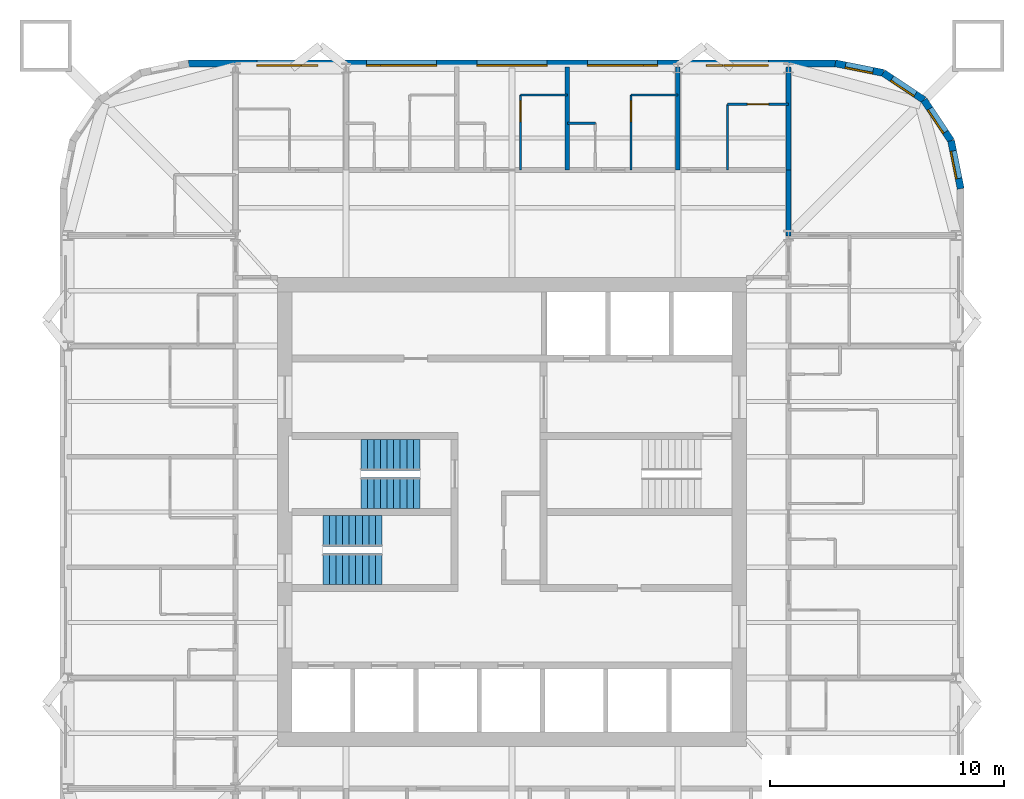
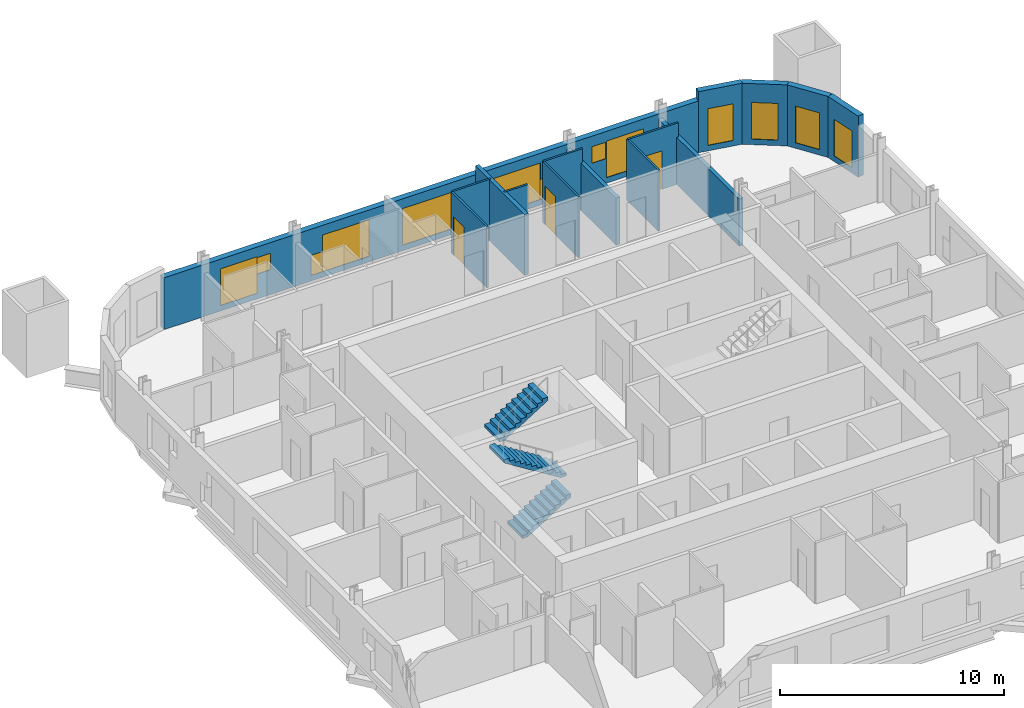
# One storey, part 8 of 10: 16 walls, 13 windows, 4 stair flights, 3 doors, 16 openings, 2 elements without a shape of their own.
"""IFC4 building model written with IfcOpenShell, lengths in metres."""

from ifc_helpers import new_model, si_unit, direction, frame, frame_2d, origin, place, context, subcontext, project, spatial, polyline, rectangle, outline, extrude, material, layer, layer_set, type_object, element, fill, aggregate, save


model = new_model("IFC4")

# Units and contexts
model_context = context("Model", 3, precision=1e-05, world=origin(), true_north=direction((0.0, 1.0)))
body_context = subcontext(model_context, "Body", "Model", "MODEL_VIEW")
ifc_project = project(units=[si_unit("LENGTHUNIT", "METRE"), si_unit("AREAUNIT", "SQUARE_METRE"), si_unit("VOLUMEUNIT", "CUBIC_METRE"), si_unit("PLANEANGLEUNIT", "RADIAN"), si_unit("MASSUNIT", "GRAM", prefix="KILO")], contexts=[model_context])

# Site, building, storey
site_placement = place(None, origin())
site = spatial("IfcSite", under=ifc_project, at=site_placement, CompositionType="ELEMENT")
building_placement = place(site_placement, origin())
building = spatial("IfcBuilding", under=site, at=building_placement, Name="Turquesa Mirador Hotel Tower", CompositionType="ELEMENT")
storey_placement = place(building_placement, frame((0.0, 0.0, 179.300048828125)))
storey = spatial("IfcBuildingStorey", under=building, at=storey_placement, Name="L48", CompositionType="ELEMENT", Elevation=179.300048828125)

# Wall
ifc_material_1 = material(Name="Gypsum board on steel studs", Category="steel")
ifc_layer_1 = layer(ifc_material_1, 0.10009765625)
ifc_layer_set_1 = layer_set([ifc_layer_1], Name="BATHROOM WALL 100")
wall_type_1 = type_object("IfcWallType", Name="BATHROOM WALL 100", PredefinedType="PARTITIONING", material=ifc_layer_set_1)
wall_1_placement = place(storey_placement, frame((57.360107421875, 61.60009765625, 0.0), z_axis=(0.0, 0.0, 1.0), x_axis=(1.0, 0.0, 0.0)))
element("IfcWall", 1, at=wall_1_placement, inside=storey, type_object=wall_type_1, Name="Partition L48 033", PredefinedType="PARTITIONING", context=body_context, shape_type="SweptSolid", body=[
    extrude(rectangle(XDim=1.199951171875, YDim=0.10009765625, at=frame_2d((0.60009765625, 0.0))), origin(), (0.0, 0.0, 1.0), 3.329833984375),
])

# Wall, opening, door
wall_2_placement = place(storey_placement, frame((64.199951171875, 62.39990234375, 0.0), z_axis=(0.0, 0.0, 1.0), x_axis=(1.0, 0.0, 0.0)))
wall_2 = element("IfcWall", 2, at=wall_2_placement, inside=storey, type_object=wall_type_1, Name="Partition L48 035", PredefinedType="PARTITIONING", context=body_context, shape_type="SweptSolid", body=[
    extrude(rectangle(XDim=2.60009765625, YDim=0.10009765625, at=frame_2d((1.300048828125, 0.0))), origin(), (0.0, 0.0, 1.0), 3.329833984375),
])
opening_1_placement = place(wall_2_placement, frame((0.85009765625, 0.0, 0.0)))
opening_1 = element("IfcOpeningElement", 3, at=opening_1_placement, cuts=wall_2, Name="Opening D02", PredefinedType="OPENING", context=body_context, shape_type="SweptSolid", body=[
    extrude(rectangle(XDim=0.89990234375, YDim=2.10009765625, at=frame_2d((0.449951171875, 1.050048828125))), frame((0.0, 0.06005859375, 0.0), z_axis=(0.0, -1.0, 0.0), x_axis=(1.0, 0.0, 0.0)), (0.0, 0.0, 1.0), 0.1201171875),
])
ifc_material_2 = material(Name="Timber veneered door", Category="wood")
door_type = type_object("IfcDoorType", Name="DOOR 900X2100 EN-SUITE", OperationType="SINGLE_SWING_RIGHT", PredefinedType="DOOR", material=ifc_material_2)
door_1_placement = place(opening_1_placement, origin())
door_1 = element("IfcDoor", 4, at=door_1_placement, inside=storey, type_object=door_type, Name="Door 4805B", OperationType="SINGLE_SWING_RIGHT", OverallHeight=2.10009765625, OverallWidth=0.89990234375, PredefinedType="DOOR", context=body_context, shape_type="SweptSolid", body=[
    extrude(rectangle(XDim=0.89990234375, YDim=2.10009765625, at=frame_2d((0.449951171875, 1.050048828125))), frame((0.0, 0.02490234375, 0.0), z_axis=(0.0, -1.0, 0.0), x_axis=(1.0, 0.0, 0.0)), (0.0, 0.0, 1.0), 0.050048828125),
])
fill(opening_1, door_1)

# Walls
for number, where, z_axis, x_axis, name in (
    (5, (55.360107421875, 62.800048828125, 0.0), (0.0, 0.0, 1.0), (1.0, 0.0, 0.0), "Partition L48 037"),
    (6, (60.080078125, 62.800048828125, 0.0), (0.0, 0.0, 1.0), (1.0, 0.0, 0.0), "Partition L48 038"),
):
    element("IfcWall", number, at=place(storey_placement, frame(where, z_axis=z_axis, x_axis=x_axis)), inside=storey, type_object=wall_type_1, Name=name, PredefinedType="PARTITIONING", context=body_context, shape_type="SweptSolid", body=[
        extrude(rectangle(XDim=2.0, YDim=0.10009765625, at=frame_2d((1.0, 0.0))), origin(), (0.0, 0.0, 1.0), 3.329833984375),
    ])

# Wall, opening, door
wall_3_placement = place(storey_placement, frame((55.360107421875, 59.60009765625, 0.0), z_axis=(0.0, 0.0, 1.0), x_axis=(0.0, 1.0, 0.0)))
wall_3 = element("IfcWall", 7, at=wall_3_placement, inside=storey, type_object=wall_type_1, Name="Partition L48 070", PredefinedType="PARTITIONING", context=body_context, shape_type="SweptSolid", body=[
    extrude(rectangle(XDim=3.199951171875, YDim=0.10009765625, at=frame_2d((1.60009765625, 0.0))), origin(), (0.0, 0.0, 1.0), 3.329833984375),
])
opening_2_placement = place(wall_3_placement, frame((2.050048828125, 0.0, 0.0)))
opening_2 = element("IfcOpeningElement", 8, at=opening_2_placement, cuts=wall_3, Name="Opening D02", PredefinedType="OPENING", context=body_context, shape_type="SweptSolid", body=[
    extrude(rectangle(XDim=0.89990234375, YDim=2.10009765625, at=frame_2d((0.449951171875, 1.050048828125))), frame((0.0, 0.06005859375, 0.0), z_axis=(0.0, -1.0, 0.0), x_axis=(1.0, 0.0, 0.0)), (0.0, 0.0, 1.0), 0.1201171875),
])
door_2_placement = place(opening_2_placement, origin())
door_2 = element("IfcDoor", 9, at=door_2_placement, inside=storey, type_object=door_type, Name="Door 4803B", OperationType="SINGLE_SWING_RIGHT", OverallHeight=2.10009765625, OverallWidth=0.89990234375, PredefinedType="DOOR", context=body_context, shape_type="SweptSolid", body=[
    extrude(rectangle(XDim=0.89990234375, YDim=2.10009765625, at=frame_2d((0.449951171875, 1.050048828125))), frame((0.0, 0.02490234375, 0.0), z_axis=(0.0, -1.0, 0.0), x_axis=(1.0, 0.0, 0.0)), (0.0, 0.0, 1.0), 0.050048828125),
])
fill(opening_2, door_2)

wall_4_placement = place(storey_placement, frame((60.080078125, 59.60009765625, 0.0), z_axis=(0.0, 0.0, 1.0), x_axis=(0.0, 1.0, 0.0)))
wall_4 = element("IfcWall", 10, at=wall_4_placement, inside=storey, type_object=wall_type_1, Name="Partition L48 089", PredefinedType="PARTITIONING", context=body_context, shape_type="SweptSolid", body=[
    extrude(rectangle(XDim=3.199951171875, YDim=0.10009765625, at=frame_2d((1.60009765625, 0.0))), origin(), (0.0, 0.0, 1.0), 3.329833984375),
])
opening_3_placement = place(wall_4_placement, frame((2.050048828125, 0.0, 0.0)))
opening_3 = element("IfcOpeningElement", 11, at=opening_3_placement, cuts=wall_4, Name="Opening D02", PredefinedType="OPENING", context=body_context, shape_type="SweptSolid", body=[
    extrude(rectangle(XDim=0.89990234375, YDim=2.10009765625, at=frame_2d((0.449951171875, 1.050048828125))), frame((0.0, 0.06005859375, 0.0), z_axis=(0.0, -1.0, 0.0), x_axis=(1.0, 0.0, 0.0)), (0.0, 0.0, 1.0), 0.1201171875),
])
door_3_placement = place(opening_3_placement, origin())
door_3 = element("IfcDoor", 12, at=door_3_placement, inside=storey, type_object=door_type, Name="Door 4804B", OperationType="SINGLE_SWING_RIGHT", OverallHeight=2.10009765625, OverallWidth=0.89990234375, PredefinedType="DOOR", context=body_context, shape_type="SweptSolid", body=[
    extrude(rectangle(XDim=0.89990234375, YDim=2.10009765625, at=frame_2d((0.449951171875, 1.050048828125))), frame((0.0, 0.02490234375, 0.0), z_axis=(0.0, -1.0, 0.0), x_axis=(1.0, 0.0, 0.0)), (0.0, 0.0, 1.0), 0.050048828125),
])
fill(opening_3, door_3)

# Walls
wall_5_placement = place(storey_placement, frame((64.199951171875, 59.60009765625, 0.0), z_axis=(0.0, 0.0, 1.0), x_axis=(0.0, 1.0, 0.0)))
element("IfcWall", 13, at=wall_5_placement, inside=storey, type_object=wall_type_1, Name="Partition L48 091", PredefinedType="PARTITIONING", context=body_context, shape_type="SweptSolid", body=[
    extrude(rectangle(XDim=2.7998046875, YDim=0.10009765625, at=frame_2d((1.39990234375, 0.0))), origin(), (0.0, 0.0, 1.0), 3.329833984375),
])
ifc_material_3 = material(Name="Fire-rated gypsum board on steel studs", Category="steel")
ifc_layer_2 = layer(ifc_material_3, 0.199951171875)
ifc_layer_set_2 = layer_set([ifc_layer_2], Name="CORRIDOR WALL 200")
wall_type_2 = type_object("IfcWallType", Name="CORRIDOR WALL 200", PredefinedType="PARTITIONING", material=ifc_layer_set_2)
wall_6_placement = place(storey_placement, frame((66.800048828125, 56.780029296875, 0.0), z_axis=(0.0, 0.0, 1.0), x_axis=(0.0, 1.0, 0.0)))
element("IfcWall", 14, at=wall_6_placement, inside=storey, type_object=wall_type_2, Name="Partition L48 093", PredefinedType="PARTITIONING", context=body_context, shape_type="SweptSolid", body=[
    extrude(rectangle(XDim=2.820068359375, YDim=0.199951171875, at=frame_2d((1.41015625, 0.0))), origin(), (0.0, 0.0, 1.0), 2.572998046875),
])

# Wall, opening, window
ifc_material_4 = material(Name="Limestone cladding on concrete block", Category="masonry")
ifc_layer_3 = layer(ifc_material_4, 0.300048828125)
ifc_layer_set_3 = layer_set([ifc_layer_3], Name="FACADE WALL 300 STONE SCREEN")
wall_type_3 = type_object("IfcWallType", Name="FACADE WALL 300 STONE SCREEN", PredefinedType="SOLIDWALL", material=ifc_layer_set_3)
wall_7_placement = place(storey_placement, frame((74.14990234375, 58.800048828125, 0.0), z_axis=(0.0, 0.0, 1.0), x_axis=(-0.195081421501, 0.980787050784, 0.0)))
wall_7 = element("IfcWall", 15, at=wall_7_placement, inside=storey, type_object=wall_type_3, Name="Facade wall L48 05", PredefinedType="SOLIDWALL", context=body_context, shape_type="SweptSolid", body=[
    extrude(rectangle(XDim=2.08740234375, YDim=0.300048828125, at=frame_2d((1.043701171875, 0.0))), origin(), (0.0, 0.0, 1.0), 3.329833984375),
])
opening_4_placement = place(wall_7_placement, frame((0.443603515625, 0.0, 0.300048828125)))
opening_4 = element("IfcOpeningElement", 16, at=opening_4_placement, cuts=wall_7, Name="Opening WN4", PredefinedType="OPENING", context=body_context, shape_type="SweptSolid", body=[
    extrude(rectangle(XDim=1.199951171875, YDim=2.0, at=frame_2d((0.60009765625, 1.0))), frame((0.0, 0.159912109375, 0.0), z_axis=(0.0, -1.0, 0.0), x_axis=(1.0, 0.0, 0.0)), (0.0, 0.0, 1.0), 0.320068359375),
])
ifc_material_5 = material(Name="Ceramic-fritted laminated glass", Category="glass")
window_type_1 = type_object("IfcWindowType", Name="FRITTED CORNER WINDOW 1200X2000", PartitioningType="DOUBLE_PANEL_HORIZONTAL", PredefinedType="WINDOW", material=ifc_material_5)
window_1_placement = place(opening_4_placement, origin())
window_1 = element("IfcWindow", 17, at=window_1_placement, inside=storey, type_object=window_type_1, Name="Window L48", OverallHeight=2.0, OverallWidth=1.199951171875, PartitioningType="SINGLE_PANEL", PredefinedType="WINDOW", context=body_context, shape_type="SweptSolid", body=[
    extrude(rectangle(XDim=1.199951171875, YDim=2.0, at=frame_2d((0.60009765625, 1.0))), frame((0.0, 0.130126953125, 0.0), z_axis=(0.0, -1.0, 0.0), x_axis=(1.0, 0.0, 0.0)), (0.0, 0.0, 1.0), 0.06005859375),
])
fill(opening_4, window_1)

wall_8_placement = place(storey_placement, frame((73.74267578125, 60.847412109375, 0.0), z_axis=(0.0, 0.0, 1.0), x_axis=(-0.555563607591, 0.831474039234, 0.0)))
wall_8 = element("IfcWall", 18, at=wall_8_placement, inside=storey, type_object=wall_type_3, Name="Facade wall L48 06", PredefinedType="SOLIDWALL", context=body_context, shape_type="SweptSolid", body=[
    extrude(rectangle(XDim=2.08740234375, YDim=0.300048828125, at=frame_2d((1.043701171875, 0.0))), origin(), (0.0, 0.0, 1.0), 3.329833984375),
])
opening_5_placement = place(wall_8_placement, frame((0.443603515625, 0.0, 0.300048828125)))
opening_5 = element("IfcOpeningElement", 19, at=opening_5_placement, cuts=wall_8, Name="Opening WN4", PredefinedType="OPENING", context=body_context, shape_type="SweptSolid", body=[
    extrude(rectangle(XDim=1.199951171875, YDim=2.0, at=frame_2d((0.60009765625, 1.0))), frame((0.0, 0.159912109375, 0.0), z_axis=(0.0, -1.0, 0.0), x_axis=(1.0, 0.0, 0.0)), (0.0, 0.0, 1.0), 0.320068359375),
])
window_2_placement = place(opening_5_placement, origin())
window_2 = element("IfcWindow", 20, at=window_2_placement, inside=storey, type_object=window_type_1, Name="Window L48", OverallHeight=2.0, OverallWidth=1.199951171875, PartitioningType="SINGLE_PANEL", PredefinedType="WINDOW", context=body_context, shape_type="SweptSolid", body=[
    extrude(rectangle(XDim=1.199951171875, YDim=2.0, at=frame_2d((0.60009765625, 1.0))), frame((0.0, 0.130126953125, 0.0), z_axis=(0.0, -1.0, 0.0), x_axis=(1.0, 0.0, 0.0)), (0.0, 0.0, 1.0), 0.06005859375),
])
fill(opening_5, window_2)

wall_9_placement = place(storey_placement, frame((72.5830078125, 62.5830078125, 0.0), z_axis=(0.0, 0.0, 1.0), x_axis=(-0.831474039234, 0.555563607591, 0.0)))
wall_9 = element("IfcWall", 21, at=wall_9_placement, inside=storey, type_object=wall_type_3, Name="Facade wall L48 07", PredefinedType="SOLIDWALL", context=body_context, shape_type="SweptSolid", body=[
    extrude(rectangle(XDim=2.08740234375, YDim=0.300048828125, at=frame_2d((1.043701171875, 0.0))), origin(), (0.0, 0.0, 1.0), 3.329833984375),
])
opening_6_placement = place(wall_9_placement, frame((0.443603515625, 0.0, 0.300048828125)))
opening_6 = element("IfcOpeningElement", 22, at=opening_6_placement, cuts=wall_9, Name="Opening WN4", PredefinedType="OPENING", context=body_context, shape_type="SweptSolid", body=[
    extrude(rectangle(XDim=1.199951171875, YDim=2.0, at=frame_2d((0.60009765625, 1.0))), frame((0.0, 0.159912109375, 0.0), z_axis=(0.0, -1.0, 0.0), x_axis=(1.0, 0.0, 0.0)), (0.0, 0.0, 1.0), 0.320068359375),
])
window_3_placement = place(opening_6_placement, origin())
window_3 = element("IfcWindow", 23, at=window_3_placement, inside=storey, type_object=window_type_1, Name="Window L48", OverallHeight=2.0, OverallWidth=1.199951171875, PartitioningType="SINGLE_PANEL", PredefinedType="WINDOW", context=body_context, shape_type="SweptSolid", body=[
    extrude(rectangle(XDim=1.199951171875, YDim=2.0, at=frame_2d((0.60009765625, 1.0))), frame((0.0, 0.130126953125, 0.0), z_axis=(0.0, -1.0, 0.0), x_axis=(1.0, 0.0, 0.0)), (0.0, 0.0, 1.0), 0.06005859375),
])
fill(opening_6, window_3)

wall_10_placement = place(storey_placement, frame((70.847412109375, 63.74267578125, 0.0), z_axis=(0.0, 0.0, 1.0), x_axis=(-0.980787050784, 0.195081421501, 0.0)))
wall_10 = element("IfcWall", 24, at=wall_10_placement, inside=storey, type_object=wall_type_3, Name="Facade wall L48 08", PredefinedType="SOLIDWALL", context=body_context, shape_type="SweptSolid", body=[
    extrude(rectangle(XDim=2.08740234375, YDim=0.300048828125, at=frame_2d((1.043701171875, 0.0))), origin(), (0.0, 0.0, 1.0), 3.329833984375),
])
opening_7_placement = place(wall_10_placement, frame((0.443603515625, 0.0, 0.300048828125)))
opening_7 = element("IfcOpeningElement", 25, at=opening_7_placement, cuts=wall_10, Name="Opening WN4", PredefinedType="OPENING", context=body_context, shape_type="SweptSolid", body=[
    extrude(rectangle(XDim=1.199951171875, YDim=2.0, at=frame_2d((0.60009765625, 1.0))), frame((0.0, 0.159912109375, 0.0), z_axis=(0.0, -1.0, 0.0), x_axis=(1.0, 0.0, 0.0)), (0.0, 0.0, 1.0), 0.320068359375),
])
window_4_placement = place(opening_7_placement, origin())
window_4 = element("IfcWindow", 26, at=window_4_placement, inside=storey, type_object=window_type_1, Name="Window L48", OverallHeight=2.0, OverallWidth=1.199951171875, PartitioningType="SINGLE_PANEL", PredefinedType="WINDOW", context=body_context, shape_type="SweptSolid", body=[
    extrude(rectangle(XDim=1.199951171875, YDim=2.0, at=frame_2d((0.60009765625, 1.0))), frame((0.0, 0.130126953125, 0.0), z_axis=(0.0, -1.0, 0.0), x_axis=(1.0, 0.0, 0.0)), (0.0, 0.0, 1.0), 0.06005859375),
])
fill(opening_7, window_4)

# Wall, openings, windows
wall_11_placement = place(storey_placement, frame((68.800048828125, 64.14990234375, 0.0), z_axis=(0.0, 0.0, 1.0), x_axis=(-1.0, 0.0, 0.0)))
wall_11 = element("IfcWall", 27, at=wall_11_placement, inside=storey, type_object=wall_type_3, Name="Facade wall L48 09", PredefinedType="SOLIDWALL", context=body_context, shape_type="SweptSolid", body=[
    extrude(rectangle(XDim=27.60009765625, YDim=0.300048828125, at=frame_2d((13.800048828125, 0.0))), origin(), (0.0, 0.0, 1.0), 2.829833984375),
])
opening_8_placement = place(wall_11_placement, frame((2.860107421875, 0.0, 0.300048828125)))
opening_8 = element("IfcOpeningElement", 28, at=opening_8_placement, cuts=wall_11, Name="Opening WN49", PredefinedType="OPENING", context=body_context, shape_type="SweptSolid", body=[
    extrude(rectangle(XDim=1.89990234375, YDim=2.0, at=frame_2d((0.949951171875, 1.0))), frame((0.0, 0.159912109375, 0.0), z_axis=(0.0, -1.0, 0.0), x_axis=(1.0, 0.0, 0.0)), (0.0, 0.0, 1.0), 0.320068359375),
])
opening_9_placement = place(wall_11_placement, frame((8.179931640625, 0.0, 0.300048828125)))
opening_9 = element("IfcOpeningElement", 29, at=opening_9_placement, cuts=wall_11, Name="Opening WN2", PredefinedType="OPENING", context=body_context, shape_type="SweptSolid", body=[
    extrude(rectangle(XDim=2.39990234375, YDim=2.0, at=frame_2d((1.199951171875, 1.0))), frame((0.0, 0.159912109375, 0.0), z_axis=(0.0, -1.0, 0.0), x_axis=(1.0, 0.0, 0.0)), (0.0, 0.0, 1.0), 0.320068359375),
])
opening_10_placement = place(wall_11_placement, frame((12.300048828125, 0.0, 0.300048828125)))
opening_10 = element("IfcOpeningElement", 30, at=opening_10_placement, cuts=wall_11, Name="Opening WN1", PredefinedType="OPENING", context=body_context, shape_type="SweptSolid", body=[
    extrude(rectangle(XDim=3.0, YDim=2.0, at=frame_2d((1.5, 1.0))), frame((0.0, 0.159912109375, 0.0), z_axis=(0.0, -1.0, 0.0), x_axis=(1.0, 0.0, 0.0)), (0.0, 0.0, 1.0), 0.320068359375),
])
opening_11_placement = place(wall_11_placement, frame((17.02001953125, 0.0, 0.300048828125)))
opening_11 = element("IfcOpeningElement", 31, at=opening_11_placement, cuts=wall_11, Name="Opening WN2", PredefinedType="OPENING", context=body_context, shape_type="SweptSolid", body=[
    extrude(rectangle(XDim=2.39990234375, YDim=2.0, at=frame_2d((1.199951171875, 1.0))), frame((0.0, 0.159912109375, 0.0), z_axis=(0.0, -1.0, 0.0), x_axis=(1.0, 0.0, 0.0)), (0.0, 0.0, 1.0), 0.320068359375),
])
opening_12_placement = place(wall_11_placement, frame((22.7900390625, 0.0, 0.300048828125)))
opening_12 = element("IfcOpeningElement", 32, at=opening_12_placement, cuts=wall_11, Name="Opening WN49", PredefinedType="OPENING", context=body_context, shape_type="SweptSolid", body=[
    extrude(rectangle(XDim=1.89990234375, YDim=2.0, at=frame_2d((0.949951171875, 1.0))), frame((0.0, 0.159912109375, 0.0), z_axis=(0.0, -1.0, 0.0), x_axis=(1.0, 0.0, 0.0)), (0.0, 0.0, 1.0), 0.320068359375),
])
opening_13_placement = place(wall_11_placement, frame((4.81005859375, 0.0, 1.35009765625)))
opening_13 = element("IfcOpeningElement", 33, at=opening_13_placement, cuts=wall_11, Name="Opening WN31", PredefinedType="OPENING", context=body_context, shape_type="SweptSolid", body=[
    extrude(rectangle(XDim=0.699951171875, YDim=0.89990234375, at=frame_2d((0.35009765625, 0.449951171875))), frame((0.0, 0.159912109375, 0.0), z_axis=(0.0, -1.0, 0.0), x_axis=(1.0, 0.0, 0.0)), (0.0, 0.0, 1.0), 0.320068359375),
])
opening_14_placement = place(wall_11_placement, frame((7.580078125, 0.0, 0.300048828125)))
opening_14 = element("IfcOpeningElement", 34, at=opening_14_placement, cuts=wall_11, Name="Opening WN30", PredefinedType="OPENING", context=body_context, shape_type="SweptSolid", body=[
    extrude(rectangle(XDim=0.60009765625, YDim=1.10009765625, at=frame_2d((0.300048828125, 0.550048828125))), frame((0.0, 0.159912109375, 0.0), z_axis=(0.0, -1.0, 0.0), x_axis=(1.0, 0.0, 0.0)), (0.0, 0.0, 1.0), 0.320068359375),
])
opening_15_placement = place(wall_11_placement, frame((19.419921875, 0.0, 0.300048828125)))
opening_15 = element("IfcOpeningElement", 35, at=opening_15_placement, cuts=wall_11, Name="Opening WN30", PredefinedType="OPENING", context=body_context, shape_type="SweptSolid", body=[
    extrude(rectangle(XDim=0.60009765625, YDim=1.10009765625, at=frame_2d((0.300048828125, 0.550048828125))), frame((0.0, 0.159912109375, 0.0), z_axis=(0.0, -1.0, 0.0), x_axis=(1.0, 0.0, 0.0)), (0.0, 0.0, 1.0), 0.320068359375),
])
opening_16_placement = place(wall_11_placement, frame((22.090087890625, 0.0, 1.35009765625)))
opening_16 = element("IfcOpeningElement", 36, at=opening_16_placement, cuts=wall_11, Name="Opening WN31", PredefinedType="OPENING", context=body_context, shape_type="SweptSolid", body=[
    extrude(rectangle(XDim=0.699951171875, YDim=0.89990234375, at=frame_2d((0.35009765625, 0.449951171875))), frame((0.0, 0.159912109375, 0.0), z_axis=(0.0, -1.0, 0.0), x_axis=(1.0, 0.0, 0.0)), (0.0, 0.0, 1.0), 0.320068359375),
])
ifc_material_6 = material(Name="Ceramic-fritted laminated glass", Category="glass")
window_type_2 = type_object("IfcWindowType", Name="FRITTED WINDOW 1900X2000", PartitioningType="DOUBLE_PANEL_HORIZONTAL", PredefinedType="WINDOW", material=ifc_material_6)
window_5_placement = place(opening_8_placement, origin())
window_5 = element("IfcWindow", 37, at=window_5_placement, inside=storey, type_object=window_type_2, Name="Window L48", OverallHeight=2.0, OverallWidth=1.89990234375, PartitioningType="SINGLE_PANEL", PredefinedType="WINDOW", context=body_context, shape_type="SweptSolid", body=[
    extrude(rectangle(XDim=1.89990234375, YDim=2.0, at=frame_2d((0.949951171875, 1.0))), frame((0.0, 0.130126953125, 0.0), z_axis=(0.0, -1.0, 0.0), x_axis=(1.0, 0.0, 0.0)), (0.0, 0.0, 1.0), 0.06005859375),
])
fill(opening_8, window_5)
window_6_placement = place(opening_12_placement, origin())
window_6 = element("IfcWindow", 38, at=window_6_placement, inside=storey, type_object=window_type_2, Name="Window L48", OverallHeight=2.0, OverallWidth=1.89990234375, PartitioningType="SINGLE_PANEL", PredefinedType="WINDOW", context=body_context, shape_type="SweptSolid", body=[
    extrude(rectangle(XDim=1.89990234375, YDim=2.0, at=frame_2d((0.949951171875, 1.0))), frame((0.0, 0.130126953125, 0.0), z_axis=(0.0, -1.0, 0.0), x_axis=(1.0, 0.0, 0.0)), (0.0, 0.0, 1.0), 0.06005859375),
])
fill(opening_12, window_6)
ifc_material_7 = material(Name="Ceramic-fritted laminated glass", Category="glass")
window_type_3 = type_object("IfcWindowType", Name="FRITTED WINDOW 2400X2000", PartitioningType="DOUBLE_PANEL_HORIZONTAL", PredefinedType="WINDOW", material=ifc_material_7)
window_7_placement = place(opening_9_placement, origin())
window_7 = element("IfcWindow", 39, at=window_7_placement, inside=storey, type_object=window_type_3, Name="Window L48", OverallHeight=2.0, OverallWidth=2.39990234375, PartitioningType="SINGLE_PANEL", PredefinedType="WINDOW", context=body_context, shape_type="SweptSolid", body=[
    extrude(rectangle(XDim=2.39990234375, YDim=2.0, at=frame_2d((1.199951171875, 1.0))), frame((0.0, 0.130126953125, 0.0), z_axis=(0.0, -1.0, 0.0), x_axis=(1.0, 0.0, 0.0)), (0.0, 0.0, 1.0), 0.06005859375),
])
fill(opening_9, window_7)
window_8_placement = place(opening_11_placement, origin())
window_8 = element("IfcWindow", 40, at=window_8_placement, inside=storey, type_object=window_type_3, Name="Window L48", OverallHeight=2.0, OverallWidth=2.39990234375, PartitioningType="SINGLE_PANEL", PredefinedType="WINDOW", context=body_context, shape_type="SweptSolid", body=[
    extrude(rectangle(XDim=2.39990234375, YDim=2.0, at=frame_2d((1.199951171875, 1.0))), frame((0.0, 0.130126953125, 0.0), z_axis=(0.0, -1.0, 0.0), x_axis=(1.0, 0.0, 0.0)), (0.0, 0.0, 1.0), 0.06005859375),
])
fill(opening_11, window_8)
ifc_material_8 = material(Name="Ceramic-fritted laminated glass", Category="glass")
window_type_4 = type_object("IfcWindowType", Name="FRITTED WINDOW 3000X2000", PartitioningType="DOUBLE_PANEL_HORIZONTAL", PredefinedType="WINDOW", material=ifc_material_8)
window_9_placement = place(opening_10_placement, origin())
window_9 = element("IfcWindow", 41, at=window_9_placement, inside=storey, type_object=window_type_4, Name="Window L48", OverallHeight=2.0, OverallWidth=3.0, PartitioningType="SINGLE_PANEL", PredefinedType="WINDOW", context=body_context, shape_type="SweptSolid", body=[
    extrude(rectangle(XDim=3.0, YDim=2.0, at=frame_2d((1.5, 1.0))), frame((0.0, 0.130126953125, 0.0), z_axis=(0.0, -1.0, 0.0), x_axis=(1.0, 0.0, 0.0)), (0.0, 0.0, 1.0), 0.06005859375),
])
fill(opening_10, window_9)
ifc_material_9 = material(Name="Ceramic-fritted laminated glass", Category="glass")
window_type_5 = type_object("IfcWindowType", Name="FRITTED WINDOW 600X1100", PartitioningType="DOUBLE_PANEL_HORIZONTAL", PredefinedType="WINDOW", material=ifc_material_9)
window_10_placement = place(opening_14_placement, origin())
window_10 = element("IfcWindow", 42, at=window_10_placement, inside=storey, type_object=window_type_5, Name="Window L48", OverallHeight=1.10009765625, OverallWidth=0.60009765625, PartitioningType="SINGLE_PANEL", PredefinedType="WINDOW", context=body_context, shape_type="SweptSolid", body=[
    extrude(rectangle(XDim=0.60009765625, YDim=1.10009765625, at=frame_2d((0.300048828125, 0.550048828125))), frame((0.0, 0.130126953125, 0.0), z_axis=(0.0, -1.0, 0.0), x_axis=(1.0, 0.0, 0.0)), (0.0, 0.0, 1.0), 0.06005859375),
])
fill(opening_14, window_10)
window_11_placement = place(opening_15_placement, origin())
window_11 = element("IfcWindow", 43, at=window_11_placement, inside=storey, type_object=window_type_5, Name="Window L48", OverallHeight=1.10009765625, OverallWidth=0.60009765625, PartitioningType="SINGLE_PANEL", PredefinedType="WINDOW", context=body_context, shape_type="SweptSolid", body=[
    extrude(rectangle(XDim=0.60009765625, YDim=1.10009765625, at=frame_2d((0.300048828125, 0.550048828125))), frame((0.0, 0.130126953125, 0.0), z_axis=(0.0, -1.0, 0.0), x_axis=(1.0, 0.0, 0.0)), (0.0, 0.0, 1.0), 0.06005859375),
])
fill(opening_15, window_11)
ifc_material_10 = material(Name="Ceramic-fritted laminated glass", Category="glass")
window_type_6 = type_object("IfcWindowType", Name="FRITTED WINDOW 700X900", PartitioningType="DOUBLE_PANEL_HORIZONTAL", PredefinedType="WINDOW", material=ifc_material_10)
window_12_placement = place(opening_13_placement, origin())
window_12 = element("IfcWindow", 44, at=window_12_placement, inside=storey, type_object=window_type_6, Name="Window L48", OverallHeight=0.89990234375, OverallWidth=0.699951171875, PartitioningType="SINGLE_PANEL", PredefinedType="WINDOW", context=body_context, shape_type="SweptSolid", body=[
    extrude(rectangle(XDim=0.699951171875, YDim=0.89990234375, at=frame_2d((0.35009765625, 0.449951171875))), frame((0.0, 0.130126953125, 0.0), z_axis=(0.0, -1.0, 0.0), x_axis=(1.0, 0.0, 0.0)), (0.0, 0.0, 1.0), 0.06005859375),
])
fill(opening_13, window_12)
window_13_placement = place(opening_16_placement, origin())
window_13 = element("IfcWindow", 45, at=window_13_placement, inside=storey, type_object=window_type_6, Name="Window L48", OverallHeight=0.89990234375, OverallWidth=0.699951171875, PartitioningType="SINGLE_PANEL", PredefinedType="WINDOW", context=body_context, shape_type="SweptSolid", body=[
    extrude(rectangle(XDim=0.699951171875, YDim=0.89990234375, at=frame_2d((0.35009765625, 0.449951171875))), frame((0.0, 0.130126953125, 0.0), z_axis=(0.0, -1.0, 0.0), x_axis=(1.0, 0.0, 0.0)), (0.0, 0.0, 1.0), 0.06005859375),
])
fill(opening_16, window_13)

# Walls
ifc_material_11 = material(Name="Fire-rated gypsum board on steel studs", Category="steel")
ifc_layer_4 = layer(ifc_material_11, 0.199951171875)
ifc_layer_set_4 = layer_set([ifc_layer_4], Name="PARTY WALL 200")
wall_type_4 = type_object("IfcWallType", Name="PARTY WALL 200", PredefinedType="PARTITIONING", material=ifc_layer_set_4)
wall_12_placement = place(storey_placement, frame((66.800048828125, 59.60009765625, 0.0), z_axis=(0.0, 0.0, 1.0), x_axis=(0.0, 1.0, 0.0)))
element("IfcWall", 46, at=wall_12_placement, inside=storey, type_object=wall_type_4, Name="Partition L48 075", PredefinedType="PARTITIONING", context=body_context, shape_type="SweptSolid", body=[
    extrude(rectangle(XDim=4.39990234375, YDim=0.199951171875, at=frame_2d((2.199951171875, 0.0))), origin(), (0.0, 0.0, 1.0), 2.572998046875),
])
wall_13_placement = place(storey_placement, frame((57.360107421875, 59.60009765625, 0.0), z_axis=(0.0, 0.0, 1.0), x_axis=(0.0, 1.0, 0.0)))
element("IfcWall", 47, at=wall_13_placement, inside=storey, type_object=wall_type_4, Name="Partition L48 086", PredefinedType="PARTITIONING", context=body_context, shape_type="SweptSolid", body=[
    extrude(rectangle(XDim=4.39990234375, YDim=0.199951171875, at=frame_2d((2.199951171875, 0.0))), origin(), (0.0, 0.0, 1.0), 3.329833984375),
])
wall_14_placement = place(storey_placement, frame((62.080078125, 59.60009765625, 0.0), z_axis=(0.0, 0.0, 1.0), x_axis=(0.0, 1.0, 0.0)))
element("IfcWall", 48, at=wall_14_placement, inside=storey, type_object=wall_type_4, Name="Partition L48 090", PredefinedType="PARTITIONING", context=body_context, shape_type="SweptSolid", body=[
    extrude(rectangle(XDim=4.39990234375, YDim=0.199951171875, at=frame_2d((2.199951171875, 0.0))), origin(), (0.0, 0.0, 1.0), 2.572998046875),
])

# Stair, stair flights
ifc_material_12 = material(Name="Concrete C35/45", Category="concrete")
stair_type = type_object("IfcStairType", Name="ESCAPE STAIR CORE", PredefinedType="HALF_TURN_STAIR", material=ifc_material_12)
stair_1_placement = place(storey_placement, origin())
stair_1 = element("IfcStair", 49, at=stair_1_placement, inside=storey, type_object=stair_type, Name="Stair ST1 L48 to L49", PredefinedType="HALF_TURN_STAIR")
ifc_material_13 = material(Name="Concrete C35/45 precast flight", Category="concrete")
stair_flight_type = type_object("IfcStairFlightType", Name="STAIR FLIGHT 1330", PredefinedType="STRAIGHT", material=ifc_material_13)
stair_flight_1_placement = place(storey_placement, frame((51.070068359375, 45.81494140625, 0.0), z_axis=(0.0, 0.0, 1.0), x_axis=(-1.0, 0.0, 0.0)))
stair_flight_1 = element("IfcStairFlight", 50, at=stair_flight_1_placement, type_object=stair_flight_type, Name="ST1 flight 1", NumberOfRisers=10, NumberOfTreads=9, PredefinedType="STRAIGHT", RiserHeight=0.175, TreadLength=0.28, context=body_context, shape_type="SweptSolid", body=[
    extrude(outline(polyline([(0.0, 0.0), (0.0, 0.175048828125), (0.280029296875, 0.175048828125), (0.280029296875, 0.35009765625), (0.56005859375, 0.35009765625), (0.56005859375, 0.52490234375), (0.840087890625, 0.52490234375), (0.840087890625, 0.699951171875), (1.1201171875, 0.699951171875), (1.1201171875, 0.875), (1.39990234375, 0.875), (1.39990234375, 1.050048828125), (1.679931640625, 1.050048828125), (1.679931640625, 1.22509765625), (1.9599609375, 1.22509765625), (1.9599609375, 1.39990234375), (2.239990234375, 1.39990234375), (2.239990234375, 1.574951171875), (2.52001953125, 1.574951171875), (2.52001953125, 1.75), (2.52001953125, 1.398193359375), (0.28271484375, 0.0), (0.0, 0.0)])), frame((0.0, 0.6650390625, 0.0), z_axis=(0.0, -1.0, 0.0), x_axis=(1.0, 0.0, 0.0)), (0.0, 0.0, 1.0), 1.330078125),
])
stair_flight_2_placement = place(storey_placement, frame((48.550048828125, 47.43505859375, 1.75), z_axis=(0.0, 0.0, 1.0), x_axis=(1.0, 0.0, 0.0)))
stair_flight_2 = element("IfcStairFlight", 51, at=stair_flight_2_placement, type_object=stair_flight_type, Name="ST1 flight 2", NumberOfRisers=10, NumberOfTreads=9, PredefinedType="STRAIGHT", RiserHeight=0.175, TreadLength=0.28, context=body_context, shape_type="SweptSolid", body=[
    extrude(outline(polyline([(0.0, 0.0), (0.0, 0.175048828125), (0.280029296875, 0.175048828125), (0.280029296875, 0.35009765625), (0.56005859375, 0.35009765625), (0.56005859375, 0.52490234375), (0.840087890625, 0.52490234375), (0.840087890625, 0.699951171875), (1.1201171875, 0.699951171875), (1.1201171875, 0.875), (1.39990234375, 0.875), (1.39990234375, 1.050048828125), (1.679931640625, 1.050048828125), (1.679931640625, 1.22509765625), (1.9599609375, 1.22509765625), (1.9599609375, 1.39990234375), (2.239990234375, 1.39990234375), (2.239990234375, 1.574951171875), (2.52001953125, 1.574951171875), (2.52001953125, 1.75), (2.52001953125, 1.398193359375), (0.28271484375, 0.0), (0.0, 0.0)])), frame((0.0, 0.6650390625, 0.0), z_axis=(0.0, -1.0, 0.0), x_axis=(1.0, 0.0, 0.0)), (0.0, 0.0, 1.0), 1.330078125),
])
aggregate(stair_1, [stair_flight_1, stair_flight_2])

stair_2_placement = place(storey_placement, origin())
stair_2 = element("IfcStair", 52, at=stair_2_placement, inside=storey, type_object=stair_type, Name="Stair ST2 L48 to L49", PredefinedType="HALF_TURN_STAIR")
stair_flight_3_placement = place(storey_placement, frame((46.929931640625, 42.56494140625, 0.0), z_axis=(0.0, 0.0, 1.0), x_axis=(1.0, 0.0, 0.0)))
stair_flight_3 = element("IfcStairFlight", 53, at=stair_flight_3_placement, type_object=stair_flight_type, Name="ST2 flight 1", NumberOfRisers=10, NumberOfTreads=9, PredefinedType="STRAIGHT", RiserHeight=0.175, TreadLength=0.28, context=body_context, shape_type="SweptSolid", body=[
    extrude(outline(polyline([(0.0, 0.0), (0.0, 0.175048828125), (0.280029296875, 0.175048828125), (0.280029296875, 0.35009765625), (0.56005859375, 0.35009765625), (0.56005859375, 0.52490234375), (0.840087890625, 0.52490234375), (0.840087890625, 0.699951171875), (1.1201171875, 0.699951171875), (1.1201171875, 0.875), (1.39990234375, 0.875), (1.39990234375, 1.050048828125), (1.679931640625, 1.050048828125), (1.679931640625, 1.22509765625), (1.9599609375, 1.22509765625), (1.9599609375, 1.39990234375), (2.239990234375, 1.39990234375), (2.239990234375, 1.574951171875), (2.52001953125, 1.574951171875), (2.52001953125, 1.75), (2.52001953125, 1.398193359375), (0.28271484375, 0.0), (0.0, 0.0)])), frame((0.0, 0.6650390625, 0.0), z_axis=(0.0, -1.0, 0.0), x_axis=(1.0, 0.0, 0.0)), (0.0, 0.0, 1.0), 1.330078125),
])
stair_flight_4_placement = place(storey_placement, frame((49.449951171875, 44.18505859375, 1.75), z_axis=(0.0, 0.0, 1.0), x_axis=(-1.0, 0.0, 0.0)))
stair_flight_4 = element("IfcStairFlight", 54, at=stair_flight_4_placement, type_object=stair_flight_type, Name="ST2 flight 2", NumberOfRisers=10, NumberOfTreads=9, PredefinedType="STRAIGHT", RiserHeight=0.175, TreadLength=0.28, context=body_context, shape_type="SweptSolid", body=[
    extrude(outline(polyline([(0.0, 0.0), (0.0, 0.175048828125), (0.280029296875, 0.175048828125), (0.280029296875, 0.35009765625), (0.56005859375, 0.35009765625), (0.56005859375, 0.52490234375), (0.840087890625, 0.52490234375), (0.840087890625, 0.699951171875), (1.1201171875, 0.699951171875), (1.1201171875, 0.875), (1.39990234375, 0.875), (1.39990234375, 1.050048828125), (1.679931640625, 1.050048828125), (1.679931640625, 1.22509765625), (1.9599609375, 1.22509765625), (1.9599609375, 1.39990234375), (2.239990234375, 1.39990234375), (2.239990234375, 1.574951171875), (2.52001953125, 1.574951171875), (2.52001953125, 1.75), (2.52001953125, 1.398193359375), (0.28271484375, 0.0), (0.0, 0.0)])), frame((0.0, 0.6650390625, 0.0), z_axis=(0.0, -1.0, 0.0), x_axis=(1.0, 0.0, 0.0)), (0.0, 0.0, 1.0), 1.330078125),
])
aggregate(stair_2, [stair_flight_3, stair_flight_4])

save(model, "model.ifc")
